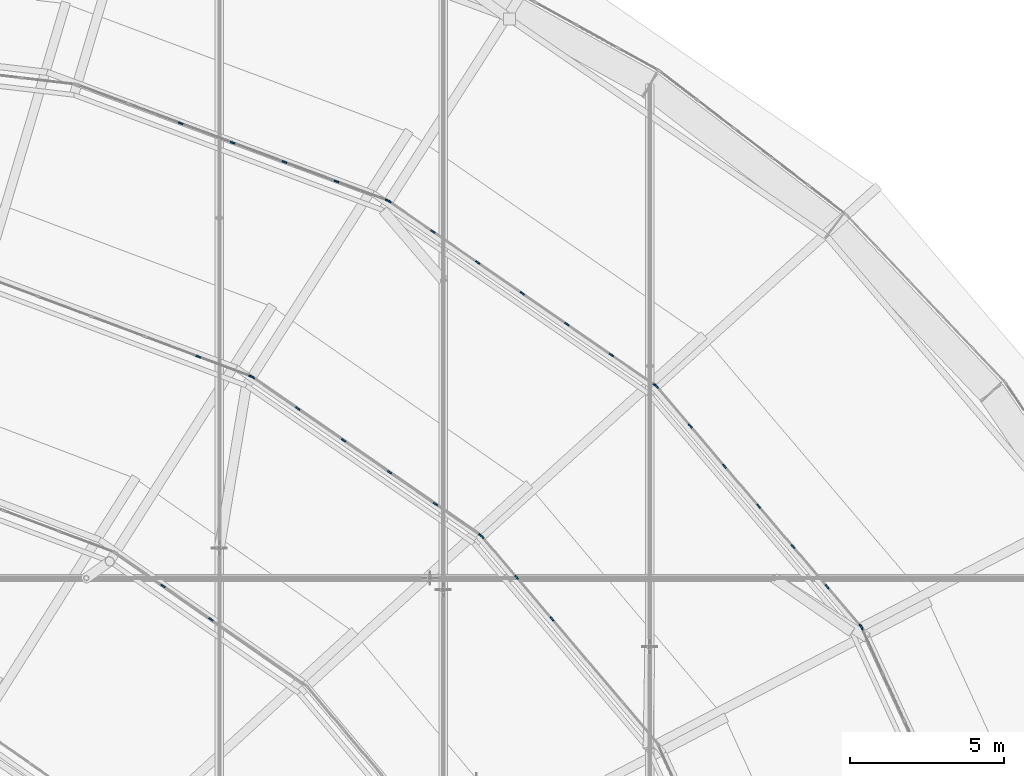
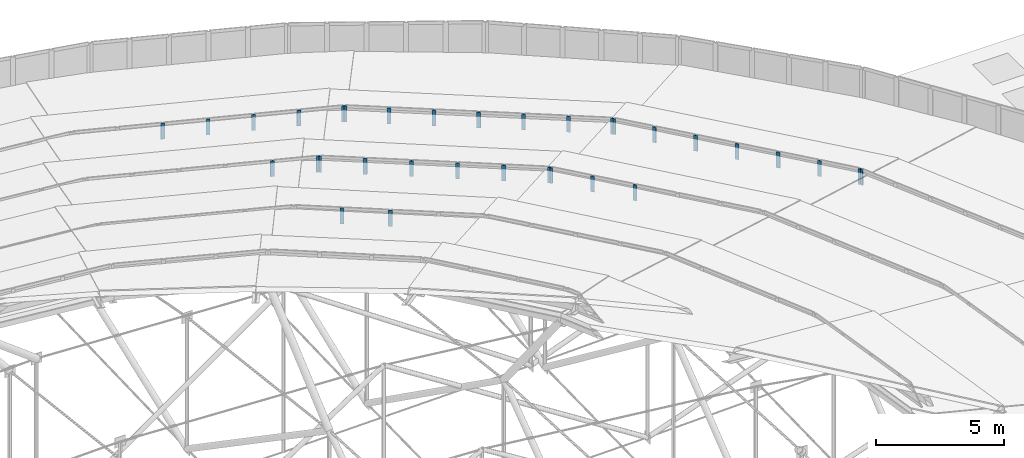
# One storey, part 140 of 173: 33 members, 8 elements without a shape of their own.
"""IFC4 building model written with IfcOpenShell, lengths in metres."""

from ifc_helpers import new_model, si_unit, direction, frame, origin, origin_2d, place, context, subcontext, project, spatial, rectangle, extrude, material, material_profile, profile_set, type_object, element, aggregate, save


model = new_model("IFC4")

# Units and contexts
model_context = context("Model", 3, precision=1e-05, world=origin(), true_north=direction((0.0, 1.0)))
body_context = subcontext(model_context, "Body", "Model", "MODEL_VIEW")
ifc_project = project(units=[si_unit("LENGTHUNIT", "METRE"), si_unit("AREAUNIT", "SQUARE_METRE"), si_unit("VOLUMEUNIT", "CUBIC_METRE"), si_unit("PLANEANGLEUNIT", "RADIAN"), si_unit("MASSUNIT", "GRAM", prefix="KILO")], contexts=[model_context])

# Site, building, storey
site_placement = place(None, origin())
site = spatial("IfcSite", under=ifc_project, at=site_placement, CompositionType="ELEMENT")
building_placement = place(site_placement, origin())
building = spatial("IfcBuilding", under=site, at=building_placement, Name="Glasvene Arena", CompositionType="ELEMENT")
storey_placement = place(building_placement, frame((0.0, 0.0, 28.800048828125)))
storey = spatial("IfcBuildingStorey", under=building, at=storey_placement, Name="RF", CompositionType="ELEMENT", Elevation=28.800048828125)

# Curtain wall, member
ifc_material_1 = material(Name="Low-emissivity laminated double glazing", Category="glass")
curtain_wall_type_1 = type_object("IfcCurtainWallType", Name="CW-PET1-1001x75", PredefinedType="USERDEFINED", material=ifc_material_1)
curtain_wall_1_placement = place(storey_placement, frame((132.424072265625, 82.757568359375, 0.0)))
curtain_wall_1 = element("IfcCurtainWall", 1, at=curtain_wall_1_placement, inside=storey, type_object=curtain_wall_type_1, Name="Petal ring 1-2 clerestory curtain wall 02", ObjectType="CURTAIN WALL", PredefinedType="USERDEFINED")
ifc_material_2 = material(Name="Anodised architectural aluminium", Category="aluminium")
ifc_material_profile = material_profile(ifc_material_2, rectangle(XDim=0.050048828125, YDim=0.159912109375, at=origin_2d()), Name="ALU MULLION 50x160")
ifc_profile_set = profile_set([ifc_material_profile], Name="Anodised architectural aluminium")
member_type = type_object("IfcMemberType", Name="CW-MUL-150", PredefinedType="MULLION", material=ifc_profile_set)
member_1_placement = place(storey_placement, frame((128.253662109375, 91.827392578125, 2.579833984375), z_axis=(0.0, 0.0, 1.0), x_axis=(-0.908556831634, -0.41776127596, 0.0)))
member_1 = element("IfcMember", 2, at=member_1_placement, type_object=member_type, Name="CW-082 mullion 7", PredefinedType="MULLION", context=body_context, shape_type="SweptSolid", body=[
    extrude(rectangle(XDim=0.050048828125, YDim=0.159912109375, at=origin_2d()), origin(), (0.0, 0.0, 1.0), 0.75),
])
aggregate(curtain_wall_1, [member_1])

# Curtain wall, members
curtain_wall_type_2 = type_object("IfcCurtainWallType", Name="CW-PET1-1026x75", PredefinedType="USERDEFINED", material=ifc_material_1)
curtain_wall_2_placement = place(storey_placement, frame((128.2431640625, 91.85009765625, 0.0)))
curtain_wall_2 = element("IfcCurtainWall", 3, at=curtain_wall_2_placement, inside=storey, type_object=curtain_wall_type_2, Name="Petal ring 1-2 clerestory curtain wall 03", ObjectType="CURTAIN WALL", PredefinedType="USERDEFINED")
member_2_placement = place(storey_placement, frame((128.22705078125, 91.869140625, 2.579833984375), z_axis=(0.0, 0.0, 1.0), x_axis=(-0.761261234149, -0.648445320272, 0.0)))
member_2 = element("IfcMember", 4, at=member_2_placement, type_object=member_type, Name="CW-083 mullion 1", PredefinedType="MULLION", context=body_context, shape_type="SweptSolid", body=[
    extrude(rectangle(XDim=0.050048828125, YDim=0.159912109375, at=origin_2d()), origin(), (0.0, 0.0, 1.0), 0.75),
])
member_3_placement = place(storey_placement, frame((127.134765625, 93.1513671875, 2.579833984375), z_axis=(0.0, 0.0, 1.0), x_axis=(-0.761261234149, -0.648445320272, 0.0)))
member_3 = element("IfcMember", 5, at=member_3_placement, type_object=member_type, Name="CW-083 mullion 2", PredefinedType="MULLION", context=body_context, shape_type="SweptSolid", body=[
    extrude(rectangle(XDim=0.050048828125, YDim=0.159912109375, at=origin_2d()), origin(), (0.0, 0.0, 1.0), 0.75),
])
member_4_placement = place(storey_placement, frame((126.0263671875, 94.45263671875, 2.579833984375), z_axis=(0.0, 0.0, 1.0), x_axis=(-0.761261234149, -0.648445320272, 0.0)))
member_4 = element("IfcMember", 6, at=member_4_placement, type_object=member_type, Name="CW-083 mullion 3", PredefinedType="MULLION", context=body_context, shape_type="SweptSolid", body=[
    extrude(rectangle(XDim=0.050048828125, YDim=0.159912109375, at=origin_2d()), origin(), (0.0, 0.0, 1.0), 0.75),
])
member_5_placement = place(storey_placement, frame((124.917724609375, 95.75390625, 2.579833984375), z_axis=(0.0, 0.0, 1.0), x_axis=(-0.761261234149, -0.648445320272, 0.0)))
member_5 = element("IfcMember", 7, at=member_5_placement, type_object=member_type, Name="CW-083 mullion 4", PredefinedType="MULLION", context=body_context, shape_type="SweptSolid", body=[
    extrude(rectangle(XDim=0.050048828125, YDim=0.159912109375, at=origin_2d()), origin(), (0.0, 0.0, 1.0), 0.75),
])
member_6_placement = place(storey_placement, frame((123.809326171875, 97.05517578125, 2.579833984375), z_axis=(0.0, 0.0, 1.0), x_axis=(-0.761261234149, -0.648445320272, 0.0)))
member_6 = element("IfcMember", 8, at=member_6_placement, type_object=member_type, Name="CW-083 mullion 5", PredefinedType="MULLION", context=body_context, shape_type="SweptSolid", body=[
    extrude(rectangle(XDim=0.050048828125, YDim=0.159912109375, at=origin_2d()), origin(), (0.0, 0.0, 1.0), 0.75),
])
member_7_placement = place(storey_placement, frame((122.700927734375, 98.356689453125, 2.579833984375), z_axis=(0.0, 0.0, 1.0), x_axis=(-0.761261234149, -0.648445320272, 0.0)))
member_7 = element("IfcMember", 9, at=member_7_placement, type_object=member_type, Name="CW-083 mullion 6", PredefinedType="MULLION", context=body_context, shape_type="SweptSolid", body=[
    extrude(rectangle(XDim=0.050048828125, YDim=0.159912109375, at=origin_2d()), origin(), (0.0, 0.0, 1.0), 0.75),
])
member_8_placement = place(storey_placement, frame((121.608642578125, 99.638916015625, 2.579833984375), z_axis=(0.0, 0.0, 1.0), x_axis=(-0.761261234149, -0.648445320272, 0.0)))
member_8 = element("IfcMember", 10, at=member_8_placement, type_object=member_type, Name="CW-083 mullion 7", PredefinedType="MULLION", context=body_context, shape_type="SweptSolid", body=[
    extrude(rectangle(XDim=0.050048828125, YDim=0.159912109375, at=origin_2d()), origin(), (0.0, 0.0, 1.0), 0.75),
])
aggregate(curtain_wall_2, [member_2, member_3, member_4, member_5, member_6, member_7, member_8])

curtain_wall_type_3 = type_object("IfcCurtainWallType", Name="CW-PET1-1054x75", PredefinedType="USERDEFINED", material=ifc_material_1)
curtain_wall_3_placement = place(storey_placement, frame((121.59228515625, 99.657958984375, 0.0)))
curtain_wall_3 = element("IfcCurtainWall", 11, at=curtain_wall_3_placement, inside=storey, type_object=curtain_wall_type_3, Name="Petal ring 1-2 clerestory curtain wall 04", ObjectType="CURTAIN WALL", PredefinedType="USERDEFINED")
member_9_placement = place(storey_placement, frame((121.57177734375, 99.672119140625, 2.579833984375), z_axis=(0.0, 0.0, 1.0), x_axis=(-0.568619089886, -0.822600954666, 0.0)))
member_9 = element("IfcMember", 12, at=member_9_placement, type_object=member_type, Name="CW-084 mullion 1", PredefinedType="MULLION", context=body_context, shape_type="SweptSolid", body=[
    extrude(rectangle(XDim=0.050048828125, YDim=0.159912109375, at=origin_2d()), origin(), (0.0, 0.0, 1.0), 0.75),
])
member_10_placement = place(storey_placement, frame((120.14794921875, 100.656494140625, 2.579833984375), z_axis=(0.0, 0.0, 1.0), x_axis=(-0.568619089886, -0.822600954666, 0.0)))
member_10 = element("IfcMember", 13, at=member_10_placement, type_object=member_type, Name="CW-084 mullion 2", PredefinedType="MULLION", context=body_context, shape_type="SweptSolid", body=[
    extrude(rectangle(XDim=0.050048828125, YDim=0.159912109375, at=origin_2d()), origin(), (0.0, 0.0, 1.0), 0.75),
])
member_11_placement = place(storey_placement, frame((118.703369140625, 101.655029296875, 2.579833984375), z_axis=(0.0, 0.0, 1.0), x_axis=(-0.568619089886, -0.822600954666, 0.0)))
member_11 = element("IfcMember", 14, at=member_11_placement, type_object=member_type, Name="CW-084 mullion 3", PredefinedType="MULLION", context=body_context, shape_type="SweptSolid", body=[
    extrude(rectangle(XDim=0.050048828125, YDim=0.159912109375, at=origin_2d()), origin(), (0.0, 0.0, 1.0), 0.75),
])
member_12_placement = place(storey_placement, frame((117.2587890625, 102.653564453125, 2.579833984375), z_axis=(0.0, 0.0, 1.0), x_axis=(-0.568619089886, -0.822600954666, 0.0)))
member_12 = element("IfcMember", 15, at=member_12_placement, type_object=member_type, Name="CW-084 mullion 4", PredefinedType="MULLION", context=body_context, shape_type="SweptSolid", body=[
    extrude(rectangle(XDim=0.050048828125, YDim=0.159912109375, at=origin_2d()), origin(), (0.0, 0.0, 1.0), 0.75),
])
member_13_placement = place(storey_placement, frame((115.814208984375, 103.652099609375, 2.579833984375), z_axis=(0.0, 0.0, 1.0), x_axis=(-0.568619089886, -0.822600954666, 0.0)))
member_13 = element("IfcMember", 16, at=member_13_placement, type_object=member_type, Name="CW-084 mullion 5", PredefinedType="MULLION", context=body_context, shape_type="SweptSolid", body=[
    extrude(rectangle(XDim=0.050048828125, YDim=0.159912109375, at=origin_2d()), origin(), (0.0, 0.0, 1.0), 0.75),
])
member_14_placement = place(storey_placement, frame((114.36962890625, 104.650634765625, 2.579833984375), z_axis=(0.0, 0.0, 1.0), x_axis=(-0.568619089886, -0.822600954666, 0.0)))
member_14 = element("IfcMember", 17, at=member_14_placement, type_object=member_type, Name="CW-084 mullion 6", PredefinedType="MULLION", context=body_context, shape_type="SweptSolid", body=[
    extrude(rectangle(XDim=0.050048828125, YDim=0.159912109375, at=origin_2d()), origin(), (0.0, 0.0, 1.0), 0.75),
])
member_15_placement = place(storey_placement, frame((112.945556640625, 105.635009765625, 2.579833984375), z_axis=(0.0, 0.0, 1.0), x_axis=(-0.568619089886, -0.822600954666, 0.0)))
member_15 = element("IfcMember", 18, at=member_15_placement, type_object=member_type, Name="CW-084 mullion 7", PredefinedType="MULLION", context=body_context, shape_type="SweptSolid", body=[
    extrude(rectangle(XDim=0.050048828125, YDim=0.159912109375, at=origin_2d()), origin(), (0.0, 0.0, 1.0), 0.75),
])
aggregate(curtain_wall_3, [member_9, member_10, member_11, member_12, member_13, member_14, member_15])

curtain_wall_type_4 = type_object("IfcCurtainWallType", Name="CW-PET1-1077x75", PredefinedType="USERDEFINED", material=ifc_material_1)
curtain_wall_4_placement = place(storey_placement, frame((112.925048828125, 105.649169921875, 0.0)))
curtain_wall_4 = element("IfcCurtainWall", 19, at=curtain_wall_4_placement, inside=storey, type_object=curtain_wall_type_4, Name="Petal ring 1-2 clerestory curtain wall 05", ObjectType="CURTAIN WALL", PredefinedType="USERDEFINED")
member_16_placement = place(storey_placement, frame((112.901611328125, 105.657958984375, 2.579833984375), z_axis=(0.0, 0.0, 1.0), x_axis=(-0.349591006176, -0.936902411354, 0.0)))
member_16 = element("IfcMember", 20, at=member_16_placement, type_object=member_type, Name="CW-085 mullion 1", PredefinedType="MULLION", context=body_context, shape_type="SweptSolid", body=[
    extrude(rectangle(XDim=0.050048828125, YDim=0.159912109375, at=origin_2d()), origin(), (0.0, 0.0, 1.0), 0.75),
])
member_17_placement = place(storey_placement, frame((111.24267578125, 106.27685546875, 2.579833984375), z_axis=(0.0, 0.0, 1.0), x_axis=(-0.349591006176, -0.936902411354, 0.0)))
member_17 = element("IfcMember", 21, at=member_17_placement, type_object=member_type, Name="CW-085 mullion 2", PredefinedType="MULLION", context=body_context, shape_type="SweptSolid", body=[
    extrude(rectangle(XDim=0.050048828125, YDim=0.159912109375, at=origin_2d()), origin(), (0.0, 0.0, 1.0), 0.75),
])
member_18_placement = place(storey_placement, frame((109.560546875, 106.904541015625, 2.579833984375), z_axis=(0.0, 0.0, 1.0), x_axis=(-0.349591006176, -0.936902411354, 0.0)))
member_18 = element("IfcMember", 22, at=member_18_placement, type_object=member_type, Name="CW-085 mullion 3", PredefinedType="MULLION", context=body_context, shape_type="SweptSolid", body=[
    extrude(rectangle(XDim=0.050048828125, YDim=0.159912109375, at=origin_2d()), origin(), (0.0, 0.0, 1.0), 0.75),
])
member_19_placement = place(storey_placement, frame((107.87841796875, 107.5322265625, 2.579833984375), z_axis=(0.0, 0.0, 1.0), x_axis=(-0.349591006176, -0.936902411354, 0.0)))
member_19 = element("IfcMember", 23, at=member_19_placement, type_object=member_type, Name="CW-085 mullion 4", PredefinedType="MULLION", context=body_context, shape_type="SweptSolid", body=[
    extrude(rectangle(XDim=0.050048828125, YDim=0.159912109375, at=origin_2d()), origin(), (0.0, 0.0, 1.0), 0.75),
])
member_20_placement = place(storey_placement, frame((106.196044921875, 108.159912109375, 2.579833984375), z_axis=(0.0, 0.0, 1.0), x_axis=(-0.349591006176, -0.936902411354, 0.0)))
member_20 = element("IfcMember", 24, at=member_20_placement, type_object=member_type, Name="CW-085 mullion 5", PredefinedType="MULLION", context=body_context, shape_type="SweptSolid", body=[
    extrude(rectangle(XDim=0.050048828125, YDim=0.159912109375, at=origin_2d()), origin(), (0.0, 0.0, 1.0), 0.75),
])
aggregate(curtain_wall_4, [member_16, member_17, member_18, member_19, member_20])

curtain_wall_type_5 = type_object("IfcCurtainWallType", Name="CW-PET2-882x75", PredefinedType="USERDEFINED", material=ifc_material_1)
curtain_wall_5_placement = place(storey_placement, frame((121.640380859375, 88.074951171875, 0.0)))
curtain_wall_5 = element("IfcCurtainWall", 25, at=curtain_wall_5_placement, inside=storey, type_object=curtain_wall_type_5, Name="Petal ring 2-3 clerestory curtain wall 03", ObjectType="CURTAIN WALL", PredefinedType="USERDEFINED")
member_21_placement = place(storey_placement, frame((118.21728515625, 92.107421875, 5.179931640625), z_axis=(0.0, 0.0, 1.0), x_axis=(-0.762348353305, -0.647166893632, 0.0)))
member_21 = element("IfcMember", 26, at=member_21_placement, type_object=member_type, Name="CW-089 mullion 4", PredefinedType="MULLION", context=body_context, shape_type="SweptSolid", body=[
    extrude(rectangle(XDim=0.050048828125, YDim=0.159912109375, at=origin_2d()), origin(), (0.0, 0.0, 1.0), 0.75),
])
member_22_placement = place(storey_placement, frame((117.076171875, 93.451416015625, 5.179931640625), z_axis=(0.0, 0.0, 1.0), x_axis=(-0.762348353305, -0.647166893632, 0.0)))
member_22 = element("IfcMember", 27, at=member_22_placement, type_object=member_type, Name="CW-089 mullion 5", PredefinedType="MULLION", context=body_context, shape_type="SweptSolid", body=[
    extrude(rectangle(XDim=0.050048828125, YDim=0.159912109375, at=origin_2d()), origin(), (0.0, 0.0, 1.0), 0.75),
])
member_23_placement = place(storey_placement, frame((115.951171875, 94.776611328125, 5.179931640625), z_axis=(0.0, 0.0, 1.0), x_axis=(-0.762348353305, -0.647166893632, 0.0)))
member_23 = element("IfcMember", 28, at=member_23_placement, type_object=member_type, Name="CW-089 mullion 6", PredefinedType="MULLION", context=body_context, shape_type="SweptSolid", body=[
    extrude(rectangle(XDim=0.050048828125, YDim=0.159912109375, at=origin_2d()), origin(), (0.0, 0.0, 1.0), 0.75),
])
aggregate(curtain_wall_5, [member_21, member_22, member_23])

curtain_wall_type_6 = type_object("IfcCurtainWallType", Name="CW-PET2-905x75", PredefinedType="USERDEFINED", material=ifc_material_1)
curtain_wall_6_placement = place(storey_placement, frame((115.93505859375, 94.795654296875, 0.0)))
curtain_wall_6 = element("IfcCurtainWall", 29, at=curtain_wall_6_placement, inside=storey, type_object=curtain_wall_type_6, Name="Petal ring 2-3 clerestory curtain wall 04", ObjectType="CURTAIN WALL", PredefinedType="USERDEFINED")
member_24_placement = place(storey_placement, frame((115.91455078125, 94.809814453125, 5.179931640625), z_axis=(0.0, 0.0, 1.0), x_axis=(-0.569921225109, -0.821699335018, 0.0)))
member_24 = element("IfcMember", 30, at=member_24_placement, type_object=member_type, Name="CW-090 mullion 1", PredefinedType="MULLION", context=body_context, shape_type="SweptSolid", body=[
    extrude(rectangle(XDim=0.050048828125, YDim=0.159912109375, at=origin_2d()), origin(), (0.0, 0.0, 1.0), 0.75),
])
member_25_placement = place(storey_placement, frame((114.447998046875, 95.826904296875, 5.179931640625), z_axis=(0.0, 0.0, 1.0), x_axis=(-0.569921225109, -0.821699335018, 0.0)))
member_25 = element("IfcMember", 31, at=member_25_placement, type_object=member_type, Name="CW-090 mullion 2", PredefinedType="MULLION", context=body_context, shape_type="SweptSolid", body=[
    extrude(rectangle(XDim=0.050048828125, YDim=0.159912109375, at=origin_2d()), origin(), (0.0, 0.0, 1.0), 0.75),
])
member_26_placement = place(storey_placement, frame((112.961181640625, 96.8583984375, 5.179931640625), z_axis=(0.0, 0.0, 1.0), x_axis=(-0.569921225109, -0.821699335018, 0.0)))
member_26 = element("IfcMember", 32, at=member_26_placement, type_object=member_type, Name="CW-090 mullion 3", PredefinedType="MULLION", context=body_context, shape_type="SweptSolid", body=[
    extrude(rectangle(XDim=0.050048828125, YDim=0.159912109375, at=origin_2d()), origin(), (0.0, 0.0, 1.0), 0.75),
])
member_27_placement = place(storey_placement, frame((111.47412109375, 97.8896484375, 5.179931640625), z_axis=(0.0, 0.0, 1.0), x_axis=(-0.569921225109, -0.821699335018, 0.0)))
member_27 = element("IfcMember", 33, at=member_27_placement, type_object=member_type, Name="CW-090 mullion 4", PredefinedType="MULLION", context=body_context, shape_type="SweptSolid", body=[
    extrude(rectangle(XDim=0.050048828125, YDim=0.159912109375, at=origin_2d()), origin(), (0.0, 0.0, 1.0), 0.75),
])
member_28_placement = place(storey_placement, frame((109.987060546875, 98.921142578125, 5.179931640625), z_axis=(0.0, 0.0, 1.0), x_axis=(-0.569921225109, -0.821699335018, 0.0)))
member_28 = element("IfcMember", 34, at=member_28_placement, type_object=member_type, Name="CW-090 mullion 5", PredefinedType="MULLION", context=body_context, shape_type="SweptSolid", body=[
    extrude(rectangle(XDim=0.050048828125, YDim=0.159912109375, at=origin_2d()), origin(), (0.0, 0.0, 1.0), 0.75),
])
member_29_placement = place(storey_placement, frame((108.5205078125, 99.938232421875, 5.179931640625), z_axis=(0.0, 0.0, 1.0), x_axis=(-0.569921225109, -0.821699335018, 0.0)))
member_29 = element("IfcMember", 35, at=member_29_placement, type_object=member_type, Name="CW-090 mullion 6", PredefinedType="MULLION", context=body_context, shape_type="SweptSolid", body=[
    extrude(rectangle(XDim=0.050048828125, YDim=0.159912109375, at=origin_2d()), origin(), (0.0, 0.0, 1.0), 0.75),
])
aggregate(curtain_wall_6, [member_24, member_25, member_26, member_27, member_28, member_29])

curtain_wall_type_7 = type_object("IfcCurtainWallType", Name="CW-PET2-925x75", PredefinedType="USERDEFINED", material=ifc_material_1)
curtain_wall_7_placement = place(storey_placement, frame((108.5, 99.952392578125, 0.0)))
curtain_wall_7 = element("IfcCurtainWall", 36, at=curtain_wall_7_placement, inside=storey, type_object=curtain_wall_type_7, Name="Petal ring 2-3 clerestory curtain wall 05", ObjectType="CURTAIN WALL", PredefinedType="USERDEFINED")
member_30_placement = place(storey_placement, frame((108.4765625, 99.961181640625, 5.179931640625), z_axis=(0.0, 0.0, 1.0), x_axis=(-0.350639776971, -0.936510409342, 0.0)))
member_30 = element("IfcMember", 37, at=member_30_placement, type_object=member_type, Name="CW-091 mullion 1", PredefinedType="MULLION", context=body_context, shape_type="SweptSolid", body=[
    extrude(rectangle(XDim=0.050048828125, YDim=0.159912109375, at=origin_2d()), origin(), (0.0, 0.0, 1.0), 0.75),
])
member_31_placement = place(storey_placement, frame((106.768310546875, 100.600830078125, 5.179931640625), z_axis=(0.0, 0.0, 1.0), x_axis=(-0.350639776971, -0.936510409342, 0.0)))
member_31 = element("IfcMember", 38, at=member_31_placement, type_object=member_type, Name="CW-091 mullion 2", PredefinedType="MULLION", context=body_context, shape_type="SweptSolid", body=[
    extrude(rectangle(XDim=0.050048828125, YDim=0.159912109375, at=origin_2d()), origin(), (0.0, 0.0, 1.0), 0.75),
])
aggregate(curtain_wall_7, [member_30, member_31])

curtain_wall_type_8 = type_object("IfcCurtainWallType", Name="CW-PET3-756x75", PredefinedType="USERDEFINED", material=ifc_material_1)
curtain_wall_8_placement = place(storey_placement, frame((110.27783203125, 89.933349609375, 0.0)))
curtain_wall_8 = element("IfcCurtainWall", 39, at=curtain_wall_8_placement, inside=storey, type_object=curtain_wall_type_8, Name="Petal ring 3-4 clerestory curtain wall 04", ObjectType="CURTAIN WALL", PredefinedType="USERDEFINED")
member_32_placement = place(storey_placement, frame((107.176513671875, 92.094482421875, 7.829833984375), z_axis=(0.0, 0.0, 1.0), x_axis=(-0.571742483725, -0.82043313701, 0.0)))
member_32 = element("IfcMember", 40, at=member_32_placement, type_object=member_type, Name="CW-096 mullion 3", PredefinedType="MULLION", context=body_context, shape_type="SweptSolid", body=[
    extrude(rectangle(XDim=0.050048828125, YDim=0.159912109375, at=origin_2d()), origin(), (0.0, 0.0, 1.0), 0.75),
])
member_33_placement = place(storey_placement, frame((105.625732421875, 93.17529296875, 7.829833984375), z_axis=(0.0, 0.0, 1.0), x_axis=(-0.571742483725, -0.82043313701, 0.0)))
member_33 = element("IfcMember", 41, at=member_33_placement, type_object=member_type, Name="CW-096 mullion 4", PredefinedType="MULLION", context=body_context, shape_type="SweptSolid", body=[
    extrude(rectangle(XDim=0.050048828125, YDim=0.159912109375, at=origin_2d()), origin(), (0.0, 0.0, 1.0), 0.75),
])
aggregate(curtain_wall_8, [member_32, member_33])

save(model, "model.ifc")
